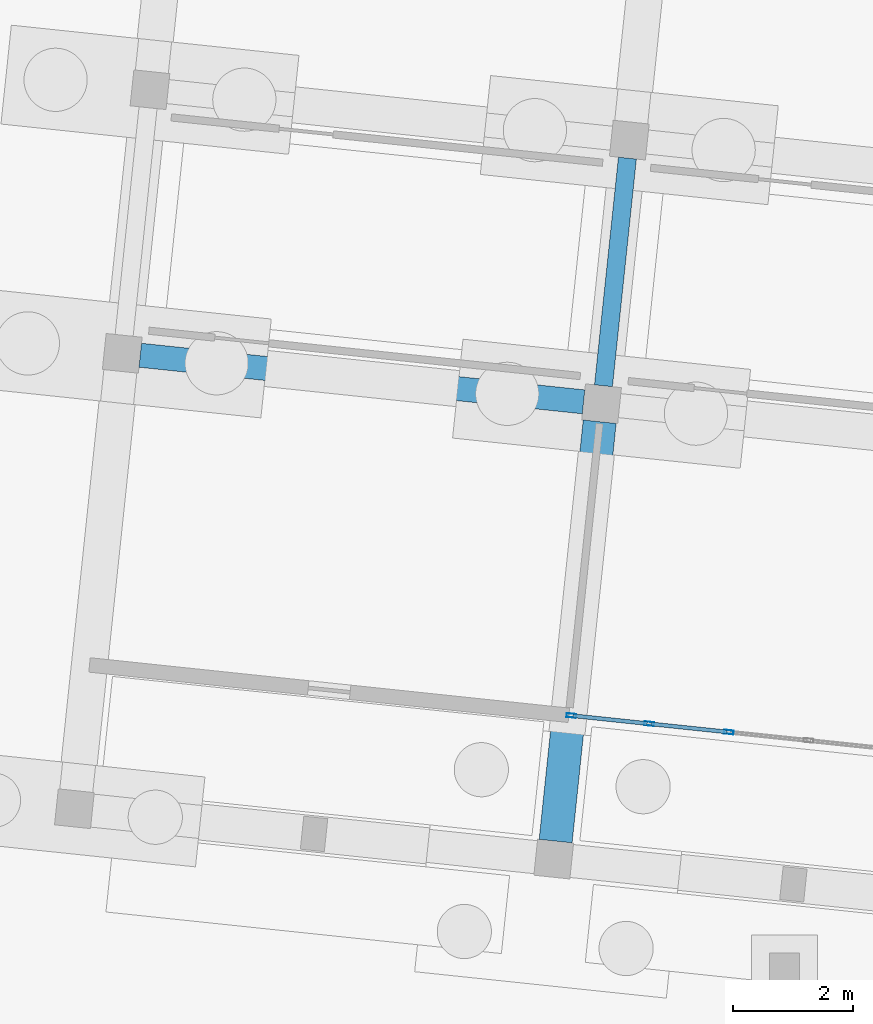
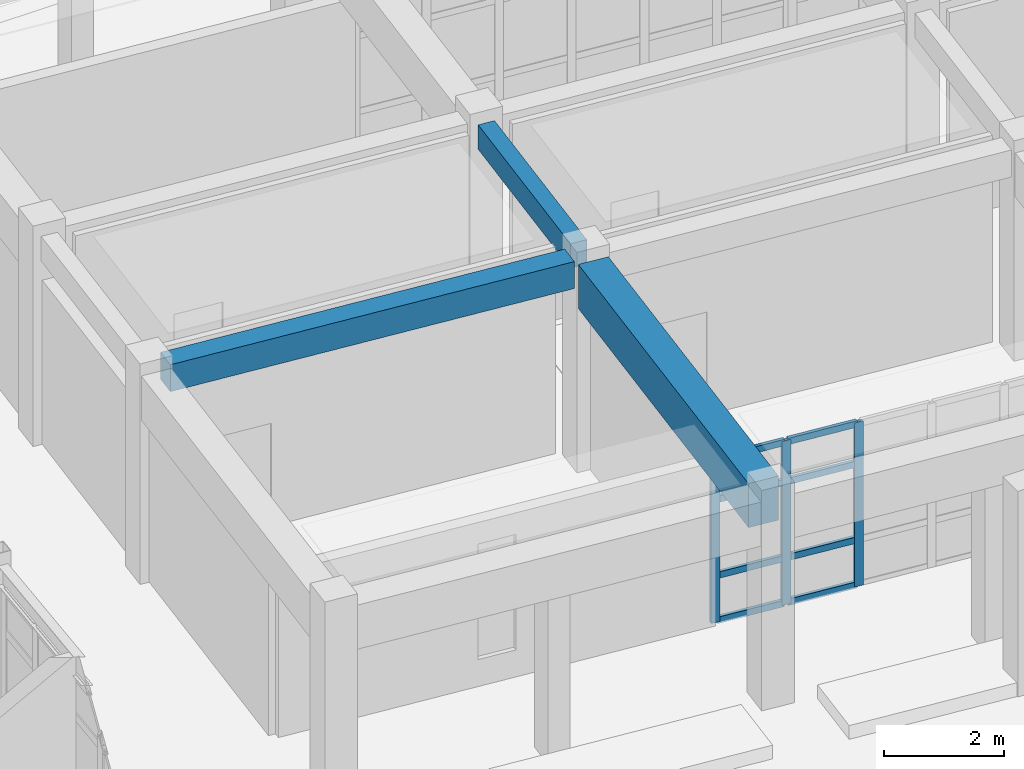
# One storey, part 85 of 154: 11 members, 3 beams, 1 element without a shape of its own.
"""IFC4 building model written with IfcOpenShell, lengths in metres."""

from ifc_helpers import new_model, si_unit, direction, frame, origin, origin_2d, place, context, subcontext, project, spatial, rectangle, hollow_rectangle, extrude, material, material_profile, profile_set, type_object, element, aggregate, save


model = new_model("IFC4")

# Units and contexts
model_context = context("Model", 3, precision=1e-05, world=origin(), true_north=direction((0.0, 1.0)))
body_context = subcontext(model_context, "Body", "Model", "MODEL_VIEW")
ifc_project = project(units=[si_unit("LENGTHUNIT", "METRE"), si_unit("AREAUNIT", "SQUARE_METRE"), si_unit("VOLUMEUNIT", "CUBIC_METRE"), si_unit("PLANEANGLEUNIT", "RADIAN"), si_unit("MASSUNIT", "GRAM", prefix="KILO")], contexts=[model_context])

# Site, building, storey
site_placement = place(None, origin())
site = spatial("IfcSite", under=ifc_project, at=site_placement, CompositionType="ELEMENT")
building_placement = place(site_placement, origin())
building = spatial("IfcBuilding", under=site, at=building_placement, Name="Kestramere Prow Commons", CompositionType="ELEMENT")
storey_placement = place(building_placement, origin())
storey = spatial("IfcBuildingStorey", under=building, at=storey_placement, Name="L00", CompositionType="ELEMENT", Elevation=0.0)

# Beams
ifc_material_1 = material(Name="Precast concrete C40/50", Category="concrete")
ifc_material_profile_1 = material_profile(ifc_material_1, rectangle(XDim=0.39990234375, YDim=0.550048828125, at=origin_2d()), Name="PC-BM 400x550")
ifc_profile_set_1 = profile_set([ifc_material_profile_1], Name="Precast concrete C40/50")
beam_type_1 = type_object("IfcBeamType", Name="BM-B1 PC-BM 400x550", PredefinedType="BEAM", material=ifc_profile_set_1)
beam_1_placement = place(storey_placement, frame((111.0927734375, 102.326904296875, 3.97509765625), z_axis=(0.994522794159, -0.104519911488, 0.0), x_axis=(0.104519911488, 0.994522794159, 0.0)))
element("IfcBeam", 1, at=beam_1_placement, inside=storey, type_object=beam_type_1, Name="Block B L00 Longitudinal Beam 2-1", PredefinedType="BEAM", context=body_context, shape_type="SweptSolid", body=[
    extrude(rectangle(XDim=0.39990234375, YDim=0.550048828125, at=origin_2d()), origin(), (0.0, 0.0, 1.0), 7.39990234375),
])
ifc_material_profile_2 = material_profile(ifc_material_1, rectangle(XDim=0.300048828125, YDim=0.5, at=origin_2d()), Name="PC-BM 300x500")
ifc_profile_set_2 = profile_set([ifc_material_profile_2], Name="Precast concrete C40/50")
beam_type_2 = type_object("IfcBeamType", Name="BM-TIE-01 PC-BM 300x500", PredefinedType="BEAM", material=ifc_profile_set_2)
beam_2_placement = place(storey_placement, frame((118.781982421875, 101.820556640625, 4.0), z_axis=(0.10453428057, 0.994521283928, 0.0), x_axis=(-0.994521283928, 0.10453428057, 0.0)))
element("IfcBeam", 2, at=beam_2_placement, inside=storey, type_object=beam_type_2, Name="Block B L00 Transverse Beam 2-2", PredefinedType="BEAM", context=body_context, shape_type="SweptSolid", body=[
    extrude(rectangle(XDim=0.300048828125, YDim=0.5, at=origin_2d()), origin(), (0.0, 0.0, 1.0), 3.7998046875),
])

# Curtain wall, members
ifc_material_2 = material(Name="Anodised Aluminium and Low-E Glass", Category="aluminium")
curtain_wall_type = type_object("IfcCurtainWallType", Name="CW-05 Glazed Curtain Wall 7980x3350", PredefinedType="USERDEFINED", material=ifc_material_2)
curtain_wall_placement = place(storey_placement, origin())
curtain_wall = element("IfcCurtainWall", 3, at=curtain_wall_placement, inside=storey, type_object=curtain_wall_type, Name="Block B L00 South Colonnade Storefront 2", ObjectType="GLAZED CURTAIN WALL", PredefinedType="USERDEFINED")
ifc_material_3 = material(Name="Anodised Aluminium 6063-T6", Category="aluminium")
ifc_material_profile_3 = material_profile(ifc_material_3, hollow_rectangle(XDim=0.06494140625, YDim=0.159912109375, WallThickness=0.00390625, at=origin_2d()), Name="ALU-MUL 65x160")
ifc_profile_set_3 = profile_set([ifc_material_profile_3], Name="Anodised Aluminium 6063-T6")
member_type_1 = type_object("IfcMemberType", Name="CW-MUL-65x160", PredefinedType="MULLION", material=ifc_profile_set_3)
member_1_placement = place(storey_placement, frame((120.8623046875, 96.071533203125, 0.0), z_axis=(0.0, 0.0, 1.0), x_axis=(-0.104528579686, -0.994521883132, 0.0)))
member_1 = element("IfcMember", 4, at=member_1_placement, type_object=member_type_1, Name="CW-05 mullion 5", PredefinedType="MULLION", context=body_context, shape_type="SweptSolid", body=[
    extrude(hollow_rectangle(XDim=0.06494140625, YDim=0.159912109375, WallThickness=0.00390625, at=origin_2d()), origin(), (0.0, 0.0, 1.0), 3.35009765625),
])
member_2_placement = place(storey_placement, frame((119.539794921875, 96.21044921875, 0.0), z_axis=(0.0, 0.0, 1.0), x_axis=(-0.104528579686, -0.994521883132, 0.0)))
member_2 = element("IfcMember", 5, at=member_2_placement, type_object=member_type_1, Name="CW-05 mullion 6", PredefinedType="MULLION", context=body_context, shape_type="SweptSolid", body=[
    extrude(hollow_rectangle(XDim=0.06494140625, YDim=0.159912109375, WallThickness=0.00390625, at=origin_2d()), origin(), (0.0, 0.0, 1.0), 3.35009765625),
])
member_3_placement = place(storey_placement, frame((118.249267578125, 96.34619140625, 0.0), z_axis=(0.0, 0.0, 1.0), x_axis=(-0.104528579686, -0.994521883132, 0.0)))
member_3 = element("IfcMember", 6, at=member_3_placement, type_object=member_type_1, Name="CW-05 mullion 7", PredefinedType="MULLION", context=body_context, shape_type="SweptSolid", body=[
    extrude(hollow_rectangle(XDim=0.06494140625, YDim=0.159912109375, WallThickness=0.00390625, at=origin_2d()), origin(), (0.0, 0.0, 1.0), 3.35009765625),
])
ifc_material_profile_4 = material_profile(ifc_material_3, hollow_rectangle(XDim=0.06494140625, YDim=0.1298828125, WallThickness=0.00390625, at=origin_2d()), Name="ALU-TRN 65x130")
ifc_profile_set_4 = profile_set([ifc_material_profile_4], Name="Anodised Aluminium 6063-T6")
member_type_2 = type_object("IfcMemberType", Name="CW-TRN-65x130", PredefinedType="USERDEFINED", material=ifc_profile_set_4)
member_4_placement = place(storey_placement, frame((120.830078125, 96.074951171875, 0.032470703125), z_axis=(-0.994513909819, 0.104604412793, 0.0), x_axis=(-0.104604412793, -0.994513909819, 0.0)))
member_4 = element("IfcMember", 7, at=member_4_placement, type_object=member_type_2, Name="CW-05 transom 5.1", ObjectType="TRANSOM", PredefinedType="USERDEFINED", context=body_context, shape_type="SweptSolid", body=[
    extrude(hollow_rectangle(XDim=0.06494140625, YDim=0.1298828125, WallThickness=0.00390625, at=origin_2d()), origin(), (0.0, 0.0, 1.0), 1.264892578125),
])
member_5_placement = place(storey_placement, frame((120.830078125, 96.074951171875, 0.949951171875), z_axis=(-0.994513909819, 0.104604412793, 0.0), x_axis=(-0.104604412793, -0.994513909819, 0.0)))
member_5 = element("IfcMember", 8, at=member_5_placement, type_object=member_type_2, Name="CW-05 transom 5.2", ObjectType="TRANSOM", PredefinedType="USERDEFINED", context=body_context, shape_type="SweptSolid", body=[
    extrude(hollow_rectangle(XDim=0.06494140625, YDim=0.1298828125, WallThickness=0.00390625, at=origin_2d()), origin(), (0.0, 0.0, 1.0), 1.264892578125),
])
member_6_placement = place(storey_placement, frame((120.830078125, 96.074951171875, 2.5), z_axis=(-0.994513909819, 0.104604412793, 0.0), x_axis=(-0.104604412793, -0.994513909819, 0.0)))
member_6 = element("IfcMember", 9, at=member_6_placement, type_object=member_type_2, Name="CW-05 transom 5.3", ObjectType="TRANSOM", PredefinedType="USERDEFINED", context=body_context, shape_type="SweptSolid", body=[
    extrude(hollow_rectangle(XDim=0.06494140625, YDim=0.1298828125, WallThickness=0.00390625, at=origin_2d()), origin(), (0.0, 0.0, 1.0), 1.264892578125),
])
member_7_placement = place(storey_placement, frame((120.830078125, 96.074951171875, 3.3173828125), z_axis=(-0.994513909819, 0.104604412793, 0.0), x_axis=(-0.104604412793, -0.994513909819, 0.0)))
member_7 = element("IfcMember", 10, at=member_7_placement, type_object=member_type_2, Name="CW-05 transom 5.4", ObjectType="TRANSOM", PredefinedType="USERDEFINED", context=body_context, shape_type="SweptSolid", body=[
    extrude(hollow_rectangle(XDim=0.06494140625, YDim=0.1298828125, WallThickness=0.00390625, at=origin_2d()), origin(), (0.0, 0.0, 1.0), 1.264892578125),
])
member_8_placement = place(storey_placement, frame((119.50732421875, 96.2138671875, 0.032470703125), z_axis=(-0.99451413379, 0.104602283395, 0.0), x_axis=(-0.104602283395, -0.99451413379, 0.0)))
member_8 = element("IfcMember", 11, at=member_8_placement, type_object=member_type_2, Name="CW-05 transom 6.1", ObjectType="TRANSOM", PredefinedType="USERDEFINED", context=body_context, shape_type="SweptSolid", body=[
    extrude(hollow_rectangle(XDim=0.06494140625, YDim=0.1298828125, WallThickness=0.00390625, at=origin_2d()), origin(), (0.0, 0.0, 1.0), 1.232421875),
])
member_9_placement = place(storey_placement, frame((119.50732421875, 96.2138671875, 0.949951171875), z_axis=(-0.99451413379, 0.104602283395, 0.0), x_axis=(-0.104602283395, -0.99451413379, 0.0)))
member_9 = element("IfcMember", 12, at=member_9_placement, type_object=member_type_2, Name="CW-05 transom 6.2", ObjectType="TRANSOM", PredefinedType="USERDEFINED", context=body_context, shape_type="SweptSolid", body=[
    extrude(hollow_rectangle(XDim=0.06494140625, YDim=0.1298828125, WallThickness=0.00390625, at=origin_2d()), origin(), (0.0, 0.0, 1.0), 1.232421875),
])
member_10_placement = place(storey_placement, frame((119.50732421875, 96.2138671875, 2.5), z_axis=(-0.99451413379, 0.104602283395, 0.0), x_axis=(-0.104602283395, -0.99451413379, 0.0)))
member_10 = element("IfcMember", 13, at=member_10_placement, type_object=member_type_2, Name="CW-05 transom 6.3", ObjectType="TRANSOM", PredefinedType="USERDEFINED", context=body_context, shape_type="SweptSolid", body=[
    extrude(hollow_rectangle(XDim=0.06494140625, YDim=0.1298828125, WallThickness=0.00390625, at=origin_2d()), origin(), (0.0, 0.0, 1.0), 1.232421875),
])
member_11_placement = place(storey_placement, frame((119.50732421875, 96.2138671875, 3.3173828125), z_axis=(-0.99451413379, 0.104602283395, 0.0), x_axis=(-0.104602283395, -0.99451413379, 0.0)))
member_11 = element("IfcMember", 14, at=member_11_placement, type_object=member_type_2, Name="CW-05 transom 6.4", ObjectType="TRANSOM", PredefinedType="USERDEFINED", context=body_context, shape_type="SweptSolid", body=[
    extrude(hollow_rectangle(XDim=0.06494140625, YDim=0.1298828125, WallThickness=0.00390625, at=origin_2d()), origin(), (0.0, 0.0, 1.0), 1.232421875),
])
aggregate(curtain_wall, [member_1, member_2, member_3, member_4, member_5, member_6, member_7, member_8, member_9, member_10, member_11])

# Beam
ifc_material_profile_5 = material_profile(ifc_material_1, rectangle(XDim=0.550048828125, YDim=0.89990234375, at=origin_2d()), Name="PC-TG 550x900")
ifc_profile_set_5 = profile_set([ifc_material_profile_5], Name="Precast concrete C40/50")
beam_type_3 = type_object("IfcBeamType", Name="TG-01 PC-TG 550x900 (EX)", PredefinedType="BEAM", material=ifc_profile_set_5)
beam_3_placement = place(storey_placement, frame((117.987548828125, 94.26220703125, 3.800048828125), z_axis=(0.104526832686, 0.994522066748, 0.0), x_axis=(-0.994522066748, 0.104526832686, 0.0)))
element("IfcBeam", 15, at=beam_3_placement, inside=storey, type_object=beam_type_3, Name="Block B L00 S Colonnade Transfer Girder 2", PredefinedType="BEAM", context=body_context, shape_type="SweptSolid", body=[
    extrude(rectangle(XDim=0.550048828125, YDim=0.89990234375, at=origin_2d()), origin(), (0.0, 0.0, 1.0), 7.0),
])

save(model, "model.ifc")
